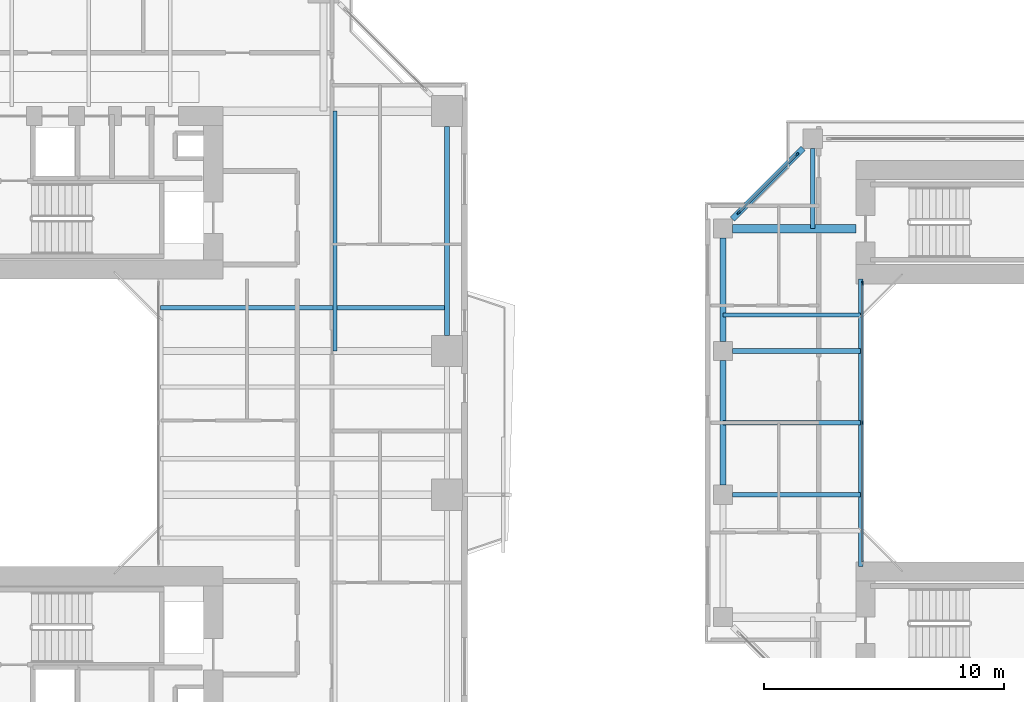
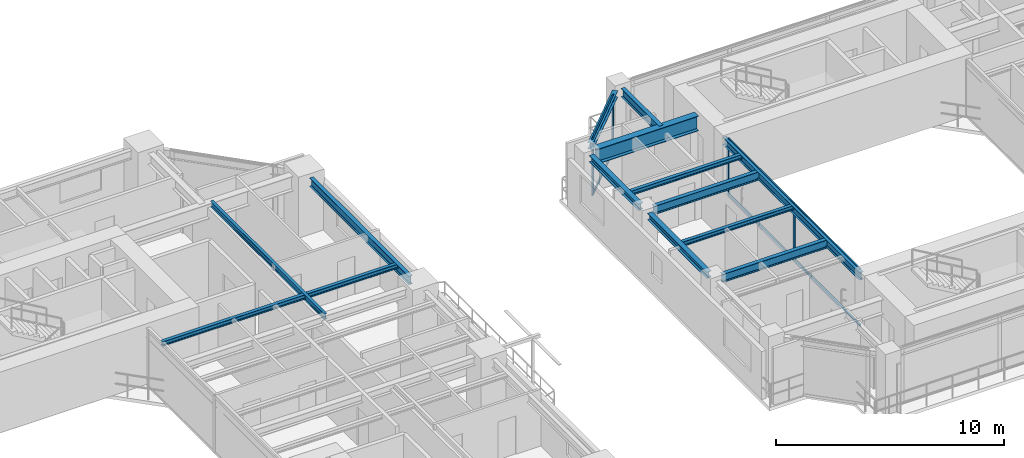
# One storey, part 8 of 23: 13 beams, 10 members, 2 elements without a shape of their own.
"""IFC4 building model written with IfcOpenShell, lengths in metres."""

from ifc_helpers import new_model, si_unit, direction, frame, origin, origin_2d, place, context, subcontext, project, spatial, rectangle, i_section, extrude, source, transform, mapped, material, layer, layer_set, material_profile, profile_set, type_object, element, aggregate, save


model = new_model("IFC4")

# Units and contexts
model_context = context("Model", 3, precision=1e-05, world=origin(), true_north=direction((0.0, 1.0)))
body_context = subcontext(model_context, "Body", "Model", "MODEL_VIEW")
ifc_project = project(units=[si_unit("LENGTHUNIT", "METRE"), si_unit("AREAUNIT", "SQUARE_METRE"), si_unit("VOLUMEUNIT", "CUBIC_METRE"), si_unit("PLANEANGLEUNIT", "RADIAN"), si_unit("MASSUNIT", "GRAM", prefix="KILO"), si_unit("THERMODYNAMICTEMPERATUREUNIT", "KELVIN"), si_unit("POWERUNIT", "WATT")], contexts=[model_context])

# Site, building, storey
site_placement = place(None, origin())
site = spatial("IfcSite", under=ifc_project, at=site_placement, CompositionType="ELEMENT")
building_placement = place(site_placement, origin())
building = spatial("IfcBuilding", under=site, at=building_placement, Name="Qiaomeng Ring Towers", CompositionType="ELEMENT")
storey_placement = place(building_placement, frame((0.0, 0.0, 89.25)))
storey = spatial("IfcBuildingStorey", under=building, at=storey_placement, Name="L25", CompositionType="ELEMENT", Elevation=89.25)

# Beams
ifc_material_1 = material(Name="Steel Q355B", Category="steel")
ifc_material_profile_1 = material_profile(ifc_material_1, i_section(OverallWidth=0.199951171875, OverallDepth=0.449951171875, WebThickness=0.009033203125, FlangeThickness=0.013916015625, FilletRadius=0.01806640625, at=origin_2d()), Name="HN 450x200x9x14")
ifc_profile_set_1 = profile_set([ifc_material_profile_1], Name="Steel Q355B")
beam_type_1 = type_object("IfcBeamType", Name="STR-BM-HN450", PredefinedType="SPANDREL", material=ifc_profile_set_1)
shared_shape_1 = source(origin(), body_context, "Body", "SweptSolid", [
    extrude(i_section(OverallWidth=0.199951171875, OverallDepth=0.449951171875, WebThickness=0.009033203125, FlangeThickness=0.013916015625, FilletRadius=0.01806640625, at=origin_2d()), origin(), (0.0, 0.0, 1.0), 8.7021484375),
])
beam_1_placement = place(storey_placement, frame((37.14990234375, 26.64892578125, 2.804931640625), z_axis=(0.0, 1.0, 0.0), x_axis=(-1.0, 0.0, 0.0)))
element("IfcBeam", 1, at=beam_1_placement, inside=storey, type_object=beam_type_1, Name="L25 beam STR-SP-L25-T1-E3-E4", PredefinedType="SPANDREL", context=body_context, shape_type="MappedRepresentation", body=[
    mapped(shared_shape_1, transform((0.0, 0.0, 0.0), x_axis=(1.0, 0.0, 0.0), y_axis=(0.0, 1.0, 0.0), z_axis=(0.0, 0.0, 1.0), scale=1.0)),
])
ifc_material_profile_2 = material_profile(ifc_material_1, i_section(OverallWidth=0.199951171875, OverallDepth=0.39990234375, WebThickness=0.008056640625, FlangeThickness=0.012939453125, FilletRadius=0.01611328125, at=origin_2d()), Name="HN 400x200x8x13")
ifc_profile_set_2 = profile_set([ifc_material_profile_2], Name="Steel Q355B")
beam_type_2 = type_object("IfcBeamType", Name="STR-BM-HN400", PredefinedType="SPANDREL", material=ifc_profile_set_2)
shared_shape_2 = source(origin(), body_context, "Body", "SweptSolid", [
    extrude(i_section(OverallWidth=0.199951171875, OverallDepth=0.39990234375, WebThickness=0.008056640625, FlangeThickness=0.012939453125, FilletRadius=0.01611328125, at=origin_2d()), origin(), (0.0, 0.0, 1.0), 12.0),
])
beam_2_placement = place(storey_placement, frame((54.39990234375, 17.0, 2.830078125), z_axis=(0.0, 1.0, 0.0), x_axis=(-1.0, 0.0, 0.0)))
element("IfcBeam", 2, at=beam_2_placement, inside=storey, type_object=beam_type_2, Name="L25 beam STR-BM-L25-T2-WELL-W", PredefinedType="SPANDREL", context=body_context, shape_type="MappedRepresentation", body=[
    mapped(shared_shape_2, transform((0.0, 0.0, 0.0), x_axis=(1.0, 0.0, 0.0), y_axis=(0.0, 1.0, 0.0), z_axis=(0.0, 0.0, 1.0), scale=1.0)),
])
ifc_material_profile_3 = material_profile(ifc_material_1, i_section(OverallWidth=0.175048828125, OverallDepth=0.243896484375, WebThickness=0.007080078125, FlangeThickness=0.010986328125, FilletRadius=0.01611328125, at=origin_2d()), Name="HM 244x175x7x11")
ifc_profile_set_3 = profile_set([ifc_material_profile_3], Name="Steel Q355B")
beam_type_3 = type_object("IfcBeamType", Name="STR-BM-HM244", PredefinedType="JOIST", material=ifc_profile_set_3)
shared_shape_3 = source(origin(), body_context, "Body", "SweptSolid", [
    extrude(i_section(OverallWidth=0.175048828125, OverallDepth=0.243896484375, WebThickness=0.007080078125, FlangeThickness=0.010986328125, FilletRadius=0.01611328125, at=origin_2d()), origin(), (0.0, 0.0, 1.0), 11.949951171875),
])
beam_3_placement = place(storey_placement, frame((25.199951171875, 27.800048828125, 2.907958984375), z_axis=(1.0, 0.0, 0.0), x_axis=(0.0, 1.0, 0.0)))
element("IfcBeam", 3, at=beam_3_placement, inside=storey, type_object=beam_type_3, Name="L25 beam STR-JST-L25-T1E-4", PredefinedType="JOIST", context=body_context, shape_type="MappedRepresentation", body=[
    mapped(shared_shape_3, transform((0.0, 0.0, 0.0), x_axis=(1.0, 0.0, 0.0), y_axis=(0.0, 1.0, 0.0), z_axis=(0.0, 0.0, 1.0), scale=1.0)),
])
ifc_material_profile_4 = material_profile(ifc_material_1, i_section(OverallWidth=0.14990234375, OverallDepth=0.300048828125, WebThickness=0.006591796875, FlangeThickness=0.009033203125, FilletRadius=0.012939453125, at=origin_2d()), Name="HN 300x150x6.5x9")
ifc_profile_set_4 = profile_set([ifc_material_profile_4], Name="Steel Q355B")
beam_type_4 = type_object("IfcBeamType", Name="STR-BM-HN300", PredefinedType="JOIST", material=ifc_profile_set_4)
shared_shape_4 = source(origin(), body_context, "Body", "SweptSolid", [
    extrude(i_section(OverallWidth=0.14990234375, OverallDepth=0.300048828125, WebThickness=0.006591796875, FlangeThickness=0.009033203125, FilletRadius=0.012939453125, at=origin_2d()), origin(), (0.0, 0.0, 1.0), 10.0),
])
beam_4_placement = place(storey_placement, frame((32.47509765625, 26.0, 2.8798828125), z_axis=(0.0, 1.0, 0.0), x_axis=(-1.0, 0.0, 0.0)))
element("IfcBeam", 4, at=beam_4_placement, inside=storey, type_object=beam_type_4, Name="L25 beam STR-JST-L25-T1C-EN", PredefinedType="JOIST", context=body_context, shape_type="MappedRepresentation", body=[
    mapped(shared_shape_4, transform((0.0, 0.0, 0.0), x_axis=(1.0, 0.0, 0.0), y_axis=(0.0, 1.0, 0.0), z_axis=(0.0, 0.0, 1.0), scale=1.0)),
])
ifc_material_profile_5 = material_profile(ifc_material_1, i_section(OverallWidth=0.25, OverallDepth=0.340087890625, WebThickness=0.009033203125, FlangeThickness=0.013916015625, FilletRadius=0.02001953125, at=origin_2d()), Name="HM 340x250x9x14")
ifc_profile_set_5 = profile_set([ifc_material_profile_5], Name="Steel Q355B")
beam_type_5 = type_object("IfcBeamType", Name="STR-BM-HM340", PredefinedType="SPANDREL", material=ifc_profile_set_5)
shared_shape_5 = source(origin(), body_context, "Body", "SweptSolid", [
    extrude(i_section(OverallWidth=0.25, OverallDepth=0.340087890625, WebThickness=0.009033203125, FlangeThickness=0.013916015625, FilletRadius=0.02001953125, at=origin_2d()), origin(), (0.0, 0.0, 1.0), 4.173828125),
])
beam_5_placement = place(storey_placement, frame((52.000732421875, 34.45068359375, 2.860107421875), z_axis=(-0.707106781187, -0.707106781187, 0.0), x_axis=(0.707106781187, -0.707106781187, 0.0)))
element("IfcBeam", 5, at=beam_5_placement, inside=storey, type_object=beam_type_5, Name="L25 beam STR-SP-L25-T2-N1-W4", PredefinedType="SPANDREL", context=body_context, shape_type="MappedRepresentation", body=[
    mapped(shared_shape_5, transform((0.0, 0.0, 0.0), x_axis=(1.0, 0.0, 0.0), y_axis=(0.0, 1.0, 0.0), z_axis=(0.0, 0.0, 1.0), scale=1.0)),
])
shared_shape_6 = source(origin(), body_context, "Body", "SweptSolid", [
    extrude(i_section(OverallWidth=0.25, OverallDepth=0.340087890625, WebThickness=0.009033203125, FlangeThickness=0.013916015625, FilletRadius=0.02001953125, at=origin_2d()), origin(), (0.0, 0.0, 1.0), 4.302001953125),
])
beam_6_placement = place(storey_placement, frame((48.64990234375, 30.700927734375, 2.860107421875), z_axis=(0.0, -1.0, 0.0), x_axis=(1.0, 0.0, 0.0)))
element("IfcBeam", 6, at=beam_6_placement, inside=storey, type_object=beam_type_5, Name="L25 beam STR-SP-L25-T2-W4-W3", PredefinedType="SPANDREL", context=body_context, shape_type="MappedRepresentation", body=[
    mapped(shared_shape_6, transform((0.0, 0.0, 0.0), x_axis=(1.0, 0.0, 0.0), y_axis=(0.0, 1.0, 0.0), z_axis=(0.0, 0.0, 1.0), scale=1.0)),
])
shared_shape_7 = source(origin(), body_context, "Body", "SweptSolid", [
    extrude(i_section(OverallWidth=0.25, OverallDepth=0.340087890625, WebThickness=0.009033203125, FlangeThickness=0.013916015625, FilletRadius=0.02001953125, at=origin_2d()), origin(), (0.0, 0.0, 1.0), 5.2021484375),
])
beam_7_placement = place(storey_placement, frame((48.64990234375, 25.60107421875, 2.860107421875), z_axis=(0.0, -1.0, 0.0), x_axis=(1.0, 0.0, 0.0)))
element("IfcBeam", 7, at=beam_7_placement, inside=storey, type_object=beam_type_5, Name="L25 beam STR-SP-L25-T2-W3-W2", PredefinedType="SPANDREL", context=body_context, shape_type="MappedRepresentation", body=[
    mapped(shared_shape_7, transform((0.0, 0.0, 0.0), x_axis=(1.0, 0.0, 0.0), y_axis=(0.0, 1.0, 0.0), z_axis=(0.0, 0.0, 1.0), scale=1.0)),
])
ifc_material_2 = material(Name="Steel Q390GJC", Category="steel")
ifc_material_profile_6 = material_profile(ifc_material_2, i_section(OverallWidth=0.35009765625, OverallDepth=0.800048828125, WebThickness=0.01611328125, FlangeThickness=0.028076171875, at=origin_2d()), Name="WH 800x350x16x28")
ifc_profile_set_6 = profile_set([ifc_material_profile_6], Name="Steel Q390GJC")
beam_type_6 = type_object("IfcBeamType", Name="STR-BM-WH800", PredefinedType="BEAM", material=ifc_profile_set_6)
shared_shape_8 = source(origin(), body_context, "Body", "SweptSolid", [
    extrude(i_section(OverallWidth=0.35009765625, OverallDepth=0.800048828125, WebThickness=0.01611328125, FlangeThickness=0.028076171875, at=origin_2d()), origin(), (0.0, 0.0, 1.0), 5.15087890625),
])
beam_8_placement = place(storey_placement, frame((49.049072265625, 31.10009765625, 2.6298828125), z_axis=(1.0, 0.0, 0.0), x_axis=(0.0, 1.0, 0.0)))
element("IfcBeam", 8, at=beam_8_placement, inside=storey, type_object=beam_type_6, Name="L25 beam STR-BM-L25-T2-RAD-W4", PredefinedType="BEAM", context=body_context, shape_type="MappedRepresentation", body=[
    mapped(shared_shape_8, transform((0.0, 0.0, 0.0), x_axis=(1.0, 0.0, 0.0), y_axis=(0.0, 1.0, 0.0), z_axis=(0.0, 0.0, 1.0), scale=1.0)),
])
shared_shape_9 = source(origin(), body_context, "Body", "SweptSolid", [
    extrude(i_section(OverallWidth=0.199951171875, OverallDepth=0.449951171875, WebThickness=0.009033203125, FlangeThickness=0.013916015625, FilletRadius=0.01806640625, at=origin_2d()), origin(), (0.0, 0.0, 1.0), 5.350830078125),
])
for number, where, z_axis, x_axis, name in (
    (9, (49.049072265625, 20.0, 2.804931640625), (1.0, 0.0, 0.0), (0.0, 1.0, 0.0), "L25 beam STR-BM-L25-T2-RAD-W2"),
    (10, (49.049072265625, 26.0, 2.804931640625), (1.0, 0.0, 0.0), (0.0, 1.0, 0.0), "L25 beam STR-BM-L25-T2-RAD-W3"),
):
    element("IfcBeam", number, at=place(storey_placement, frame(where, z_axis=z_axis, x_axis=x_axis)), inside=storey, type_object=beam_type_1, Name=name, PredefinedType="SPANDREL", context=body_context, shape_type="MappedRepresentation", body=[
        mapped(shared_shape_9, transform((0.0, 0.0, 0.0), x_axis=(1.0, 0.0, 0.0), y_axis=(0.0, 1.0, 0.0), z_axis=(0.0, 0.0, 1.0), scale=1.0)),
    ])
shared_shape_10 = source(origin(), body_context, "Body", "SweptSolid", [
    extrude(i_section(OverallWidth=0.199951171875, OverallDepth=0.449951171875, WebThickness=0.009033203125, FlangeThickness=0.013916015625, FilletRadius=0.01806640625, at=origin_2d()), origin(), (0.0, 0.0, 1.0), 3.350830078125),
])
beam_9_placement = place(storey_placement, frame((52.39990234375, 34.450927734375, 2.804931640625), z_axis=(0.0, -1.0, 0.0), x_axis=(1.0, 0.0, 0.0)))
element("IfcBeam", 11, at=beam_9_placement, inside=storey, type_object=beam_type_1, Name="L25 beam STR-BM-L25-T2-RAD-N1", PredefinedType="SPANDREL", context=body_context, shape_type="MappedRepresentation", body=[
    mapped(shared_shape_10, transform((0.0, 0.0, 0.0), x_axis=(1.0, 0.0, 0.0), y_axis=(0.0, 1.0, 0.0), z_axis=(0.0, 0.0, 1.0), scale=1.0)),
])
shared_shape_11 = source(origin(), body_context, "Body", "SweptSolid", [
    extrude(i_section(OverallWidth=0.175048828125, OverallDepth=0.243896484375, WebThickness=0.007080078125, FlangeThickness=0.010986328125, FilletRadius=0.01611328125, at=origin_2d()), origin(), (0.0, 0.0, 1.0), 5.75),
])
for number, where, z_axis, x_axis, name in (
    (12, (48.64990234375, 23.0, 2.907958984375), (1.0, 0.0, 0.0), (0.0, 1.0, 0.0), "L25 beam STR-JST-L25-T2W-2"),
    (13, (48.64990234375, 27.5, 2.907958984375), (1.0, 0.0, 0.0), (0.0, 1.0, 0.0), "L25 beam STR-JST-L25-T2W-3"),
):
    element("IfcBeam", number, at=place(storey_placement, frame(where, z_axis=z_axis, x_axis=x_axis)), inside=storey, type_object=beam_type_3, Name=name, PredefinedType="JOIST", context=body_context, shape_type="MappedRepresentation", body=[
        mapped(shared_shape_11, transform((0.0, 0.0, 0.0), x_axis=(1.0, 0.0, 0.0), y_axis=(0.0, 1.0, 0.0), z_axis=(0.0, 0.0, 1.0), scale=1.0)),
    ])

# Curtain wall, members
ifc_material_3 = material(Name="Fluorocarbon dark-grey aluminium", Category="aluminium")
ifc_layer_1 = layer(ifc_material_3, 0.139892578125, Name="Fluorocarbon dark-grey aluminium")
ifc_layer_set_1 = layer_set([ifc_layer_1], Name="Fluorocarbon dark-grey aluminium")
curtain_wall_type_1 = type_object("IfcCurtainWallType", Name="ARC-CW-4", PredefinedType="NOTDEFINED", material=ifc_layer_set_1)
curtain_wall_1_placement = place(storey_placement, origin())
curtain_wall_1 = element("IfcCurtainWall", 14, at=curtain_wall_1_placement, inside=storey, type_object=curtain_wall_type_1, Name="L25 Curtain Wall CW4", PredefinedType="NOTDEFINED")
ifc_material_profile_7 = material_profile(ifc_material_3, rectangle(XDim=0.06494140625, YDim=0.1298828125, at=origin_2d()), Name="ALU TRAN 65x130")
ifc_profile_set_7 = profile_set([ifc_material_profile_7], Name="Fluorocarbon dark-grey aluminium")
member_type_1 = type_object("IfcMemberType", Name="ARC-CWT-120", PredefinedType="USERDEFINED", material=ifc_profile_set_7)
shared_shape_12 = source(origin(), body_context, "Body", "SweptSolid", [
    extrude(rectangle(XDim=0.06494140625, YDim=0.1298828125, at=origin_2d()), origin(), (0.0, 0.0, 1.0), 5.75244140625),
])
member_1_placement = place(storey_placement, frame((54.47998046875, 17.215087890625, 0.032470703125), z_axis=(0.0, 1.0, 0.0), x_axis=(-1.0, 0.0, 0.0)))
member_1 = element("IfcMember", 15, at=member_1_placement, type_object=member_type_1, Name="CW4 transom 1.1", ObjectType="TRANSOM", PredefinedType="USERDEFINED", context=body_context, shape_type="MappedRepresentation", body=[
    mapped(shared_shape_12, transform((0.0, 0.0, 0.0), x_axis=(1.0, 0.0, 0.0), y_axis=(0.0, 1.0, 0.0), z_axis=(0.0, 0.0, 1.0), scale=1.0)),
])
member_2_placement = place(storey_placement, frame((54.47998046875, 17.215087890625, 2.99755859375), z_axis=(0.0, 1.0, 0.0), x_axis=(-1.0, 0.0, 0.0)))
member_2 = element("IfcMember", 16, at=member_2_placement, type_object=member_type_1, Name="CW4 transom 1.2", ObjectType="TRANSOM", PredefinedType="USERDEFINED", context=body_context, shape_type="MappedRepresentation", body=[
    mapped(shared_shape_12, transform((0.0, 0.0, 0.0), x_axis=(1.0, 0.0, 0.0), y_axis=(0.0, 1.0, 0.0), z_axis=(0.0, 0.0, 1.0), scale=1.0)),
])
member_3_placement = place(storey_placement, frame((54.47998046875, 23.032470703125, 0.032470703125), z_axis=(0.0, 1.0, 0.0), x_axis=(-1.0, 0.0, 0.0)))
member_3 = element("IfcMember", 17, at=member_3_placement, type_object=member_type_1, Name="CW4 transom 2.1", ObjectType="TRANSOM", PredefinedType="USERDEFINED", context=body_context, shape_type="MappedRepresentation", body=[
    mapped(shared_shape_12, transform((0.0, 0.0, 0.0), x_axis=(1.0, 0.0, 0.0), y_axis=(0.0, 1.0, 0.0), z_axis=(0.0, 0.0, 1.0), scale=1.0)),
])
member_4_placement = place(storey_placement, frame((54.47998046875, 23.032470703125, 2.99755859375), z_axis=(0.0, 1.0, 0.0), x_axis=(-1.0, 0.0, 0.0)))
member_4 = element("IfcMember", 18, at=member_4_placement, type_object=member_type_1, Name="CW4 transom 2.2", ObjectType="TRANSOM", PredefinedType="USERDEFINED", context=body_context, shape_type="MappedRepresentation", body=[
    mapped(shared_shape_12, transform((0.0, 0.0, 0.0), x_axis=(1.0, 0.0, 0.0), y_axis=(0.0, 1.0, 0.0), z_axis=(0.0, 0.0, 1.0), scale=1.0)),
])
ifc_material_profile_8 = material_profile(ifc_material_3, rectangle(XDim=0.06494140625, YDim=0.159912109375, at=origin_2d()), Name="ALU MULL 65x160")
ifc_profile_set_8 = profile_set([ifc_material_profile_8], Name="Fluorocarbon dark-grey aluminium")
member_type_2 = type_object("IfcMemberType", Name="ARC-CWM-140", PredefinedType="MULLION", material=ifc_profile_set_8)
shared_shape_13 = source(origin(), body_context, "Body", "SweptSolid", [
    extrude(rectangle(XDim=0.06494140625, YDim=0.159912109375, at=origin_2d()), origin(), (0.0, 0.0, 1.0), 3.030029296875),
])
member_5_placement = place(storey_placement, frame((54.47998046875, 23.0, 0.0), z_axis=(0.0, 0.0, 1.0), x_axis=(-1.0, 0.0, 0.0)))
member_5 = element("IfcMember", 19, at=member_5_placement, type_object=member_type_2, Name="CW4 mullion 2", PredefinedType="MULLION", context=body_context, shape_type="MappedRepresentation", body=[
    mapped(shared_shape_13, transform((0.0, 0.0, 0.0), x_axis=(1.0, 0.0, 0.0), y_axis=(0.0, 1.0, 0.0), z_axis=(0.0, 0.0, 1.0), scale=1.0)),
])
member_6_placement = place(storey_placement, frame((54.47998046875, 28.8173828125, 0.0), z_axis=(0.0, 0.0, 1.0), x_axis=(-1.0, 0.0, 0.0)))
member_6 = element("IfcMember", 20, at=member_6_placement, type_object=member_type_2, Name="CW4 mullion 3", PredefinedType="MULLION", context=body_context, shape_type="MappedRepresentation", body=[
    mapped(shared_shape_13, transform((0.0, 0.0, 0.0), x_axis=(1.0, 0.0, 0.0), y_axis=(0.0, 1.0, 0.0), z_axis=(0.0, 0.0, 1.0), scale=1.0)),
])
aggregate(curtain_wall_1, [member_5, member_6, member_1, member_2, member_3, member_4])

ifc_layer_2 = layer(ifc_material_3, 0.14990234375, Name="Fluorocarbon dark-grey aluminium")
ifc_layer_set_2 = layer_set([ifc_layer_2], Name="Fluorocarbon dark-grey aluminium")
curtain_wall_type_2 = type_object("IfcCurtainWallType", Name="ARC-CW-5", PredefinedType="NOTDEFINED", material=ifc_layer_set_2)
curtain_wall_2_placement = place(storey_placement, origin())
curtain_wall_2 = element("IfcCurtainWall", 21, at=curtain_wall_2_placement, inside=storey, type_object=curtain_wall_type_2, Name="L25 Curtain Wall CW5", PredefinedType="NOTDEFINED")
ifc_material_profile_9 = material_profile(ifc_material_3, rectangle(XDim=0.070068359375, YDim=0.179931640625, at=origin_2d()), Name="ALU MULL 70x180")
ifc_profile_set_9 = profile_set([ifc_material_profile_9], Name="Fluorocarbon dark-grey aluminium")
member_type_3 = type_object("IfcMemberType", Name="ARC-CWM-160", PredefinedType="MULLION", material=ifc_profile_set_9)
shared_shape_14 = source(origin(), body_context, "Body", "SweptSolid", [
    extrude(rectangle(XDim=0.070068359375, YDim=0.179931640625, at=origin_2d()), origin(), (0.0, 0.0, 1.0), 3.030029296875),
])
member_7_placement = place(storey_placement, frame((51.7353515625, 34.185302734375, 0.0), z_axis=(0.0, 0.0, 1.0), x_axis=(0.707106781187, -0.707106781187, 0.0)))
member_7 = element("IfcMember", 22, at=member_7_placement, type_object=member_type_3, Name="CW5 mullion 1", PredefinedType="MULLION", context=body_context, shape_type="MappedRepresentation", body=[
    mapped(shared_shape_14, transform((0.0, 0.0, 0.0), x_axis=(1.0, 0.0, 0.0), y_axis=(0.0, 1.0, 0.0), z_axis=(0.0, 0.0, 1.0), scale=1.0)),
])
member_8_placement = place(storey_placement, frame((49.314697265625, 31.7646484375, 0.0), z_axis=(0.0, 0.0, 1.0), x_axis=(0.707106781187, -0.707106781187, 0.0)))
member_8 = element("IfcMember", 23, at=member_8_placement, type_object=member_type_3, Name="CW5 mullion 2", PredefinedType="MULLION", context=body_context, shape_type="MappedRepresentation", body=[
    mapped(shared_shape_14, transform((0.0, 0.0, 0.0), x_axis=(1.0, 0.0, 0.0), y_axis=(0.0, 1.0, 0.0), z_axis=(0.0, 0.0, 1.0), scale=1.0)),
])
shared_shape_15 = source(origin(), body_context, "Body", "SweptSolid", [
    extrude(rectangle(XDim=0.06494140625, YDim=0.1298828125, at=origin_2d()), origin(), (0.0, 0.0, 1.0), 3.352783203125),
])
member_9_placement = place(storey_placement, frame((51.71044921875, 34.160400390625, 0.032470703125), z_axis=(-0.707106781187, -0.707106781187, 0.0), x_axis=(0.707106781187, -0.707106781187, 0.0)))
member_9 = element("IfcMember", 24, at=member_9_placement, type_object=member_type_1, Name="CW5 transom 1.1", ObjectType="TRANSOM", PredefinedType="USERDEFINED", context=body_context, shape_type="MappedRepresentation", body=[
    mapped(shared_shape_15, transform((0.0, 0.0, 0.0), x_axis=(1.0, 0.0, 0.0), y_axis=(0.0, 1.0, 0.0), z_axis=(0.0, 0.0, 1.0), scale=1.0)),
])
member_10_placement = place(storey_placement, frame((51.71044921875, 34.160400390625, 2.99755859375), z_axis=(-0.707106781187, -0.707106781187, 0.0), x_axis=(0.707106781187, -0.707106781187, 0.0)))
member_10 = element("IfcMember", 25, at=member_10_placement, type_object=member_type_1, Name="CW5 transom 1.2", ObjectType="TRANSOM", PredefinedType="USERDEFINED", context=body_context, shape_type="MappedRepresentation", body=[
    mapped(shared_shape_15, transform((0.0, 0.0, 0.0), x_axis=(1.0, 0.0, 0.0), y_axis=(0.0, 1.0, 0.0), z_axis=(0.0, 0.0, 1.0), scale=1.0)),
])
aggregate(curtain_wall_2, [member_7, member_8, member_9, member_10])

save(model, "model.ifc")
